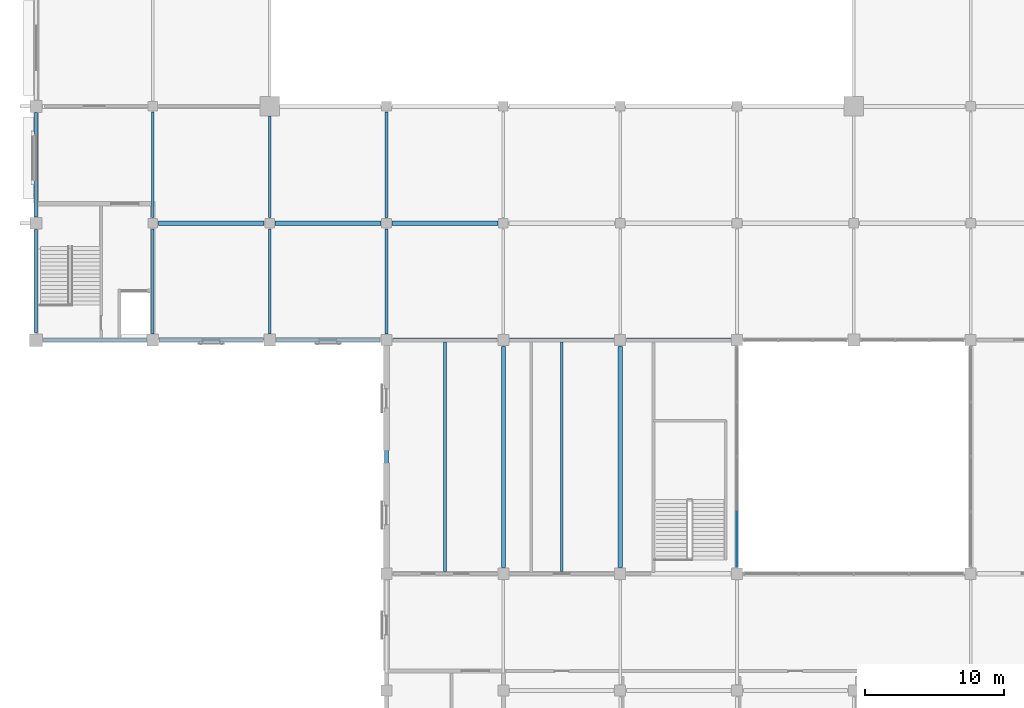
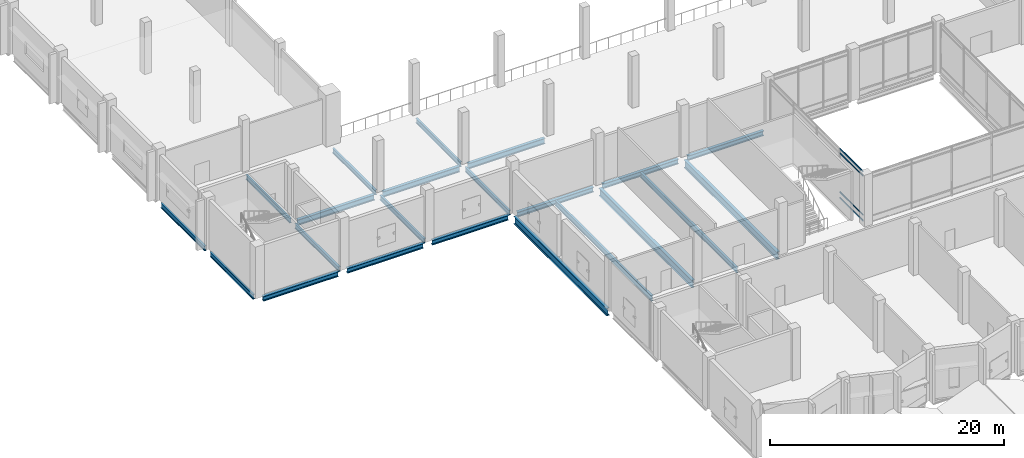
# One storey, part 4 of 72: 22 beams, 4 members, 1 element without a shape of its own.
"""IFC4 building model written with IfcOpenShell, lengths in metres."""

from ifc_helpers import new_model, si_unit, direction, frame, origin, origin_2d, place, context, subcontext, project, spatial, rectangle, i_section, extrude, material, layer, layer_set, material_profile, profile_set, type_object, element, aggregate, save


model = new_model("IFC4")

# Units and contexts
model_context = context("Model", 3, precision=1e-05, world=origin(), true_north=direction((0.0, 1.0)))
body_context = subcontext(model_context, "Body", "Model", "MODEL_VIEW")
ifc_project = project(units=[si_unit("LENGTHUNIT", "METRE"), si_unit("AREAUNIT", "SQUARE_METRE"), si_unit("VOLUMEUNIT", "CUBIC_METRE"), si_unit("PLANEANGLEUNIT", "RADIAN"), si_unit("MASSUNIT", "GRAM", prefix="KILO")], contexts=[model_context])

# Site, building, storey
site_placement = place(None, origin())
site = spatial("IfcSite", under=ifc_project, at=site_placement, CompositionType="ELEMENT")
building_placement = place(site_placement, origin())
building = spatial("IfcBuilding", under=site, at=building_placement, Name="Qawsi Khor Wholesale Market", CompositionType="ELEMENT")
storey_placement = place(building_placement, frame((0.0, 0.0, 6.0)))
storey = spatial("IfcBuildingStorey", under=building, at=storey_placement, Name="L01", CompositionType="ELEMENT", Elevation=6.0)

# Curtain wall, members
ifc_material_1 = material(Name="Aluminium Anodised Bronze", Category="aluminium")
ifc_layer = layer(ifc_material_1, 0.179931640625, Name="Aluminium Anodised Bronze")
ifc_layer_set = layer_set([ifc_layer], Name="Aluminium Anodised Bronze")
curtain_wall_type = type_object("IfcCurtainWallType", Name="Atrium Full-Height Curtain Wall CW-02", PredefinedType="NOTDEFINED", material=ifc_layer_set)
curtain_wall_placement = place(storey_placement, origin())
curtain_wall = element("IfcCurtainWall", 1, at=curtain_wall_placement, inside=storey, type_object=curtain_wall_type, Name="Curtain wall CW-CW-02-L01-019", PredefinedType="NOTDEFINED")
ifc_material_profile_1 = material_profile(ifc_material_1, rectangle(XDim=0.06494140625, YDim=0.139892578125, at=origin_2d()), Name="ALU TRANSOM 65x140")
ifc_profile_set_1 = profile_set([ifc_material_profile_1], Name="Aluminium Anodised Bronze")
member_type = type_object("IfcMemberType", Name="Curtain Wall Transom CW-02 ALU TRANSOM 65x140", PredefinedType="USERDEFINED", material=ifc_profile_set_1)
member_1_placement = place(storey_placement, frame((50.39990234375, 25.695068359375, 0.0), z_axis=(0.0, 1.0, 0.0), x_axis=(-1.0, 0.0, 0.0)))
member_1 = element("IfcMember", 2, at=member_1_placement, type_object=member_type, Name="Transom CW-CW-02-L01-019-T0_00", ObjectType="TRANSOM", PredefinedType="USERDEFINED", context=body_context, shape_type="SweptSolid", body=[
    extrude(rectangle(XDim=0.06494140625, YDim=0.139892578125, at=origin_2d()), origin(), (0.0, 0.0, 1.0), 3.952392578125),
])
member_2_placement = place(storey_placement, frame((50.39990234375, 25.695068359375, 0.60009765625), z_axis=(0.0, 1.0, 0.0), x_axis=(-1.0, 0.0, 0.0)))
member_2 = element("IfcMember", 3, at=member_2_placement, type_object=member_type, Name="Transom CW-CW-02-L01-019-T1_00", ObjectType="TRANSOM", PredefinedType="USERDEFINED", context=body_context, shape_type="SweptSolid", body=[
    extrude(rectangle(XDim=0.06494140625, YDim=0.139892578125, at=origin_2d()), origin(), (0.0, 0.0, 1.0), 3.952392578125),
])
member_3_placement = place(storey_placement, frame((50.39990234375, 25.695068359375, 4.669921875), z_axis=(0.0, 1.0, 0.0), x_axis=(-1.0, 0.0, 0.0)))
member_3 = element("IfcMember", 4, at=member_3_placement, type_object=member_type, Name="Transom CW-CW-02-L01-019-T2_00", ObjectType="TRANSOM", PredefinedType="USERDEFINED", context=body_context, shape_type="SweptSolid", body=[
    extrude(rectangle(XDim=0.06494140625, YDim=0.139892578125, at=origin_2d()), origin(), (0.0, 0.0, 1.0), 3.952392578125),
])
member_4_placement = place(storey_placement, frame((50.39990234375, 25.695068359375, 5.1201171875), z_axis=(0.0, 1.0, 0.0), x_axis=(-1.0, 0.0, 0.0)))
member_4 = element("IfcMember", 5, at=member_4_placement, type_object=member_type, Name="Transom CW-CW-02-L01-019-T3_00", ObjectType="TRANSOM", PredefinedType="USERDEFINED", context=body_context, shape_type="SweptSolid", body=[
    extrude(rectangle(XDim=0.06494140625, YDim=0.139892578125, at=origin_2d()), origin(), (0.0, 0.0, 1.0), 3.952392578125),
])
aggregate(curtain_wall, [member_1, member_2, member_3, member_4])

# Beams
ifc_material_2 = material(Name="Steel S355", Category="steel")
ifc_material_profile_2 = material_profile(ifc_material_2, i_section(OverallWidth=0.300048828125, OverallDepth=0.5, WebThickness=0.014404296875, FlangeThickness=0.028076171875, FilletRadius=0.027099609375, at=origin_2d()), Name="HEB 500")
ifc_profile_set_2 = profile_set([ifc_material_profile_2], Name="Steel S355")
beam_type_1 = type_object("IfcBeamType", Name="Heavy Edge Girder HEB 500", PredefinedType="BEAM", material=ifc_profile_set_2)
beam_1_placement = place(storey_placement, frame((0.550048828125, 42.0, -0.530029296875), z_axis=(1.0, 0.0, 0.0), x_axis=(0.0, 1.0, 0.0)))
element("IfcBeam", 6, at=beam_1_placement, inside=storey, type_object=beam_type_1, Name="BM-X-L01-00_+05", PredefinedType="BEAM", context=body_context, shape_type="SweptSolid", body=[
    extrude(i_section(OverallWidth=0.300048828125, OverallDepth=0.5, WebThickness=0.014404296875, FlangeThickness=0.028076171875, FilletRadius=0.027099609375, at=origin_2d()), origin(), (0.0, 0.0, 1.0), 7.39990234375),
])
for number, where, z_axis, x_axis, name in (
    (7, (8.85009765625, 42.0, -0.52001953125), (1.0, 0.0, 0.0), (0.0, 1.0, 0.0), "BM-X-L01-01_+05"),
    (8, (17.25, 42.0, -0.52001953125), (1.0, 0.0, 0.0), (0.0, 1.0, 0.0), "BM-X-L01-02_+05"),
    (9, (25.64990234375, 42.0, -0.530029296875), (1.0, 0.0, 0.0), (0.0, 1.0, 0.0), "BM-X-L01-03_+05"),
    (10, (34.050048828125, 42.0, -0.530029296875), (1.0, 0.0, 0.0), (0.0, 1.0, 0.0), "BM-X-L01-04_+05"),
    (11, (42.449951171875, 42.0, -0.530029296875), (1.0, 0.0, 0.0), (0.0, 1.0, 0.0), "BM-X-L01-05_+05"),
):
    element("IfcBeam", number, at=place(storey_placement, frame(where, z_axis=z_axis, x_axis=x_axis)), inside=storey, type_object=beam_type_1, Name=name, PredefinedType="BEAM", context=body_context, shape_type="SweptSolid", body=[
        extrude(i_section(OverallWidth=0.300048828125, OverallDepth=0.5, WebThickness=0.014404296875, FlangeThickness=0.028076171875, FilletRadius=0.027099609375, at=origin_2d()), origin(), (0.0, 0.0, 1.0), 7.5),
    ])
ifc_material_profile_3 = material_profile(ifc_material_2, i_section(OverallWidth=0.300048828125, OverallDepth=0.590087890625, WebThickness=0.012939453125, FlangeThickness=0.02490234375, FilletRadius=0.027099609375, at=origin_2d()), Name="HEA 600")
ifc_profile_set_3 = profile_set([ifc_material_profile_3], Name="Steel S355")
beam_type_2 = type_object("IfcBeamType", Name="Primary Girder HEA 600", PredefinedType="BEAM", material=ifc_profile_set_3)
beam_2_placement = place(storey_placement, frame((8.800048828125, 50.39990234375, -0.56494140625), z_axis=(1.0, 0.0, 0.0), x_axis=(0.0, 1.0, 0.0)))
element("IfcBeam", 12, at=beam_2_placement, inside=storey, type_object=beam_type_2, Name="BM-X-L01-01_+06", PredefinedType="BEAM", context=body_context, shape_type="SweptSolid", body=[
    extrude(i_section(OverallWidth=0.300048828125, OverallDepth=0.590087890625, WebThickness=0.012939453125, FlangeThickness=0.02490234375, FilletRadius=0.027099609375, at=origin_2d()), origin(), (0.0, 0.0, 1.0), 7.599853515625),
])
beam_3_placement = place(storey_placement, frame((17.199951171875, 50.39990234375, -0.56494140625), z_axis=(1.0, 0.0, 0.0), x_axis=(0.0, 1.0, 0.0)))
element("IfcBeam", 13, at=beam_3_placement, inside=storey, type_object=beam_type_2, Name="BM-X-L01-02_+06", PredefinedType="BEAM", context=body_context, shape_type="SweptSolid", body=[
    extrude(i_section(OverallWidth=0.300048828125, OverallDepth=0.590087890625, WebThickness=0.012939453125, FlangeThickness=0.02490234375, FilletRadius=0.027099609375, at=origin_2d()), origin(), (0.0, 0.0, 1.0), 7.60009765625),
])
beam_4_placement = place(storey_placement, frame((25.60009765625, 50.39990234375, -0.56494140625), z_axis=(1.0, 0.0, 0.0), x_axis=(0.0, 1.0, 0.0)))
element("IfcBeam", 14, at=beam_4_placement, inside=storey, type_object=beam_type_2, Name="BM-X-L01-03_+06", PredefinedType="BEAM", context=body_context, shape_type="SweptSolid", body=[
    extrude(i_section(OverallWidth=0.300048828125, OverallDepth=0.590087890625, WebThickness=0.012939453125, FlangeThickness=0.02490234375, FilletRadius=0.027099609375, at=origin_2d()), origin(), (0.0, 0.0, 1.0), 7.599853515625),
])
ifc_material_profile_4 = material_profile(ifc_material_2, i_section(OverallWidth=0.300048828125, OverallDepth=0.7900390625, WebThickness=0.014892578125, FlangeThickness=0.028076171875, FilletRadius=0.030029296875, at=origin_2d()), Name="HEA 800")
ifc_profile_set_4 = profile_set([ifc_material_profile_4], Name="Steel S355")
beam_type_3 = type_object("IfcBeamType", Name="Primary Girder HEA 800", PredefinedType="BEAM", material=ifc_profile_set_4)
for number, where, z_axis, x_axis, name in (
    (15, (25.199951171875, 25.64990234375, -0.675048828125), (0.0, 1.0, 0.0), (-1.0, 0.0, 0.0), "BM-YL-L01-03_+03"),
    (16, (33.60009765625, 25.64990234375, -0.675048828125), (0.0, 1.0, 0.0), (-1.0, 0.0, 0.0), "BM-YL-L01-04_+03"),
    (17, (42.0, 25.64990234375, -0.675048828125), (0.0, 1.0, 0.0), (-1.0, 0.0, 0.0), "BM-YL-L01-05_+03"),
):
    element("IfcBeam", number, at=place(storey_placement, frame(where, z_axis=z_axis, x_axis=x_axis)), inside=storey, type_object=beam_type_3, Name=name, PredefinedType="BEAM", context=body_context, shape_type="SweptSolid", body=[
        extrude(i_section(OverallWidth=0.300048828125, OverallDepth=0.7900390625, WebThickness=0.014892578125, FlangeThickness=0.028076171875, FilletRadius=0.030029296875, at=origin_2d()), origin(), (0.0, 0.0, 1.0), 15.900146484375),
    ])
ifc_material_profile_5 = material_profile(ifc_material_2, i_section(OverallWidth=0.199951171875, OverallDepth=0.5, WebThickness=0.01025390625, FlangeThickness=0.01611328125, FilletRadius=0.02099609375, at=origin_2d()), Name="IPE 500")
ifc_profile_set_5 = profile_set([ifc_material_profile_5], Name="Steel S355")
beam_type_4 = type_object("IfcBeamType", Name="Secondary Beam IPE 500", PredefinedType="BEAM", material=ifc_profile_set_5)
beam_5_placement = place(storey_placement, frame((0.0, 42.550048828125, -0.530029296875), z_axis=(0.0, 1.0, 0.0), x_axis=(-1.0, 0.0, 0.0)))
element("IfcBeam", 18, at=beam_5_placement, inside=storey, type_object=beam_type_4, Name="BM-Y-L01-00_+05", PredefinedType="BEAM", context=body_context, shape_type="SweptSolid", body=[
    extrude(i_section(OverallWidth=0.199951171875, OverallDepth=0.5, WebThickness=0.01025390625, FlangeThickness=0.01611328125, FilletRadius=0.02099609375, at=origin_2d()), origin(), (0.0, 0.0, 1.0), 7.39990234375),
])
beam_6_placement = place(storey_placement, frame((0.0, 50.85009765625, -0.52001953125), z_axis=(0.0, 1.0, 0.0), x_axis=(-1.0, 0.0, 0.0)))
element("IfcBeam", 19, at=beam_6_placement, inside=storey, type_object=beam_type_4, Name="BM-Y-L01-00_+06", PredefinedType="BEAM", context=body_context, shape_type="SweptSolid", body=[
    extrude(i_section(OverallWidth=0.199951171875, OverallDepth=0.5, WebThickness=0.01025390625, FlangeThickness=0.01611328125, FilletRadius=0.02099609375, at=origin_2d()), origin(), (0.0, 0.0, 1.0), 7.5),
])
beam_7_placement = place(storey_placement, frame((8.39990234375, 42.449951171875, -0.530029296875), z_axis=(0.0, 1.0, 0.0), x_axis=(-1.0, 0.0, 0.0)))
element("IfcBeam", 20, at=beam_7_placement, inside=storey, type_object=beam_type_4, Name="BM-Y-L01-01_+05", PredefinedType="BEAM", context=body_context, shape_type="SweptSolid", body=[
    extrude(i_section(OverallWidth=0.199951171875, OverallDepth=0.5, WebThickness=0.01025390625, FlangeThickness=0.01611328125, FilletRadius=0.02099609375, at=origin_2d()), origin(), (0.0, 0.0, 1.0), 7.550048828125),
])
beam_8_placement = place(storey_placement, frame((8.39990234375, 50.800048828125, -0.52001953125), z_axis=(0.0, 1.0, 0.0), x_axis=(-1.0, 0.0, 0.0)))
element("IfcBeam", 21, at=beam_8_placement, inside=storey, type_object=beam_type_4, Name="BM-Y-L01-01_+06", PredefinedType="BEAM", context=body_context, shape_type="SweptSolid", body=[
    extrude(i_section(OverallWidth=0.199951171875, OverallDepth=0.5, WebThickness=0.01025390625, FlangeThickness=0.01611328125, FilletRadius=0.02099609375, at=origin_2d()), origin(), (0.0, 0.0, 1.0), 7.599853515625),
])
beam_9_placement = place(storey_placement, frame((16.800048828125, 42.449951171875, -0.52001953125), z_axis=(0.0, 1.0, 0.0), x_axis=(-1.0, 0.0, 0.0)))
element("IfcBeam", 22, at=beam_9_placement, inside=storey, type_object=beam_type_4, Name="BM-Y-L01-02_+05", PredefinedType="BEAM", context=body_context, shape_type="SweptSolid", body=[
    extrude(i_section(OverallWidth=0.199951171875, OverallDepth=0.5, WebThickness=0.01025390625, FlangeThickness=0.01611328125, FilletRadius=0.02099609375, at=origin_2d()), origin(), (0.0, 0.0, 1.0), 7.550048828125),
])
beam_10_placement = place(storey_placement, frame((16.800048828125, 50.800048828125, -0.52001953125), z_axis=(0.0, 1.0, 0.0), x_axis=(-1.0, 0.0, 0.0)))
element("IfcBeam", 23, at=beam_10_placement, inside=storey, type_object=beam_type_4, Name="BM-Y-L01-02_+06", PredefinedType="BEAM", context=body_context, shape_type="SweptSolid", body=[
    extrude(i_section(OverallWidth=0.199951171875, OverallDepth=0.5, WebThickness=0.01025390625, FlangeThickness=0.01611328125, FilletRadius=0.02099609375, at=origin_2d()), origin(), (0.0, 0.0, 1.0), 7.300048828125),
])
beam_11_placement = place(storey_placement, frame((25.199951171875, 42.449951171875, -0.52001953125), z_axis=(0.0, 1.0, 0.0), x_axis=(-1.0, 0.0, 0.0)))
element("IfcBeam", 24, at=beam_11_placement, inside=storey, type_object=beam_type_4, Name="BM-Y-L01-03_+05", PredefinedType="BEAM", context=body_context, shape_type="SweptSolid", body=[
    extrude(i_section(OverallWidth=0.199951171875, OverallDepth=0.5, WebThickness=0.01025390625, FlangeThickness=0.01611328125, FilletRadius=0.02099609375, at=origin_2d()), origin(), (0.0, 0.0, 1.0), 7.550048828125),
])
beam_12_placement = place(storey_placement, frame((25.199951171875, 50.800048828125, -0.52001953125), z_axis=(0.0, 1.0, 0.0), x_axis=(-1.0, 0.0, 0.0)))
element("IfcBeam", 25, at=beam_12_placement, inside=storey, type_object=beam_type_4, Name="BM-Y-L01-03_+06", PredefinedType="BEAM", context=body_context, shape_type="SweptSolid", body=[
    extrude(i_section(OverallWidth=0.199951171875, OverallDepth=0.5, WebThickness=0.01025390625, FlangeThickness=0.01611328125, FilletRadius=0.02099609375, at=origin_2d()), origin(), (0.0, 0.0, 1.0), 7.599853515625),
])
ifc_material_profile_6 = material_profile(ifc_material_2, i_section(OverallWidth=0.2099609375, OverallDepth=0.550048828125, WebThickness=0.010986328125, FlangeThickness=0.01708984375, FilletRadius=0.02392578125, at=origin_2d()), Name="IPE 550")
ifc_profile_set_6 = profile_set([ifc_material_profile_6], Name="Steel S355")
beam_type_5 = type_object("IfcBeamType", Name="Secondary Beam IPE 550", PredefinedType="BEAM", material=ifc_profile_set_6)
for number, where, z_axis, x_axis, name in (
    (26, (29.39990234375, 25.35009765625, -0.554931640625), (0.0, 1.0, 0.0), (-1.0, 0.0, 0.0), "JST-M-L01-03"),
    (27, (37.800048828125, 25.35009765625, -0.554931640625), (0.0, 1.0, 0.0), (-1.0, 0.0, 0.0), "JST-M-L01-04"),
):
    element("IfcBeam", number, at=place(storey_placement, frame(where, z_axis=z_axis, x_axis=x_axis)), inside=storey, type_object=beam_type_5, Name=name, PredefinedType="BEAM", context=body_context, shape_type="SweptSolid", body=[
        extrude(i_section(OverallWidth=0.2099609375, OverallDepth=0.550048828125, WebThickness=0.010986328125, FlangeThickness=0.01708984375, FilletRadius=0.02392578125, at=origin_2d()), origin(), (0.0, 0.0, 1.0), 16.5),
    ])

save(model, "model.ifc")
